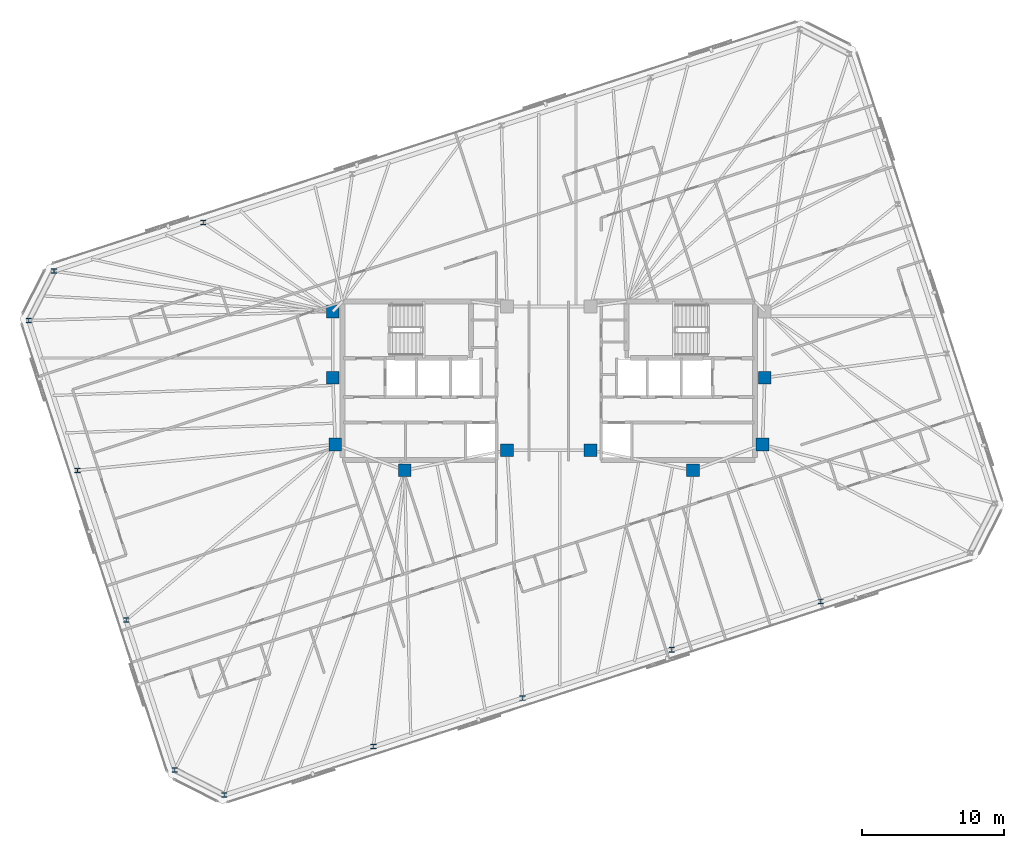
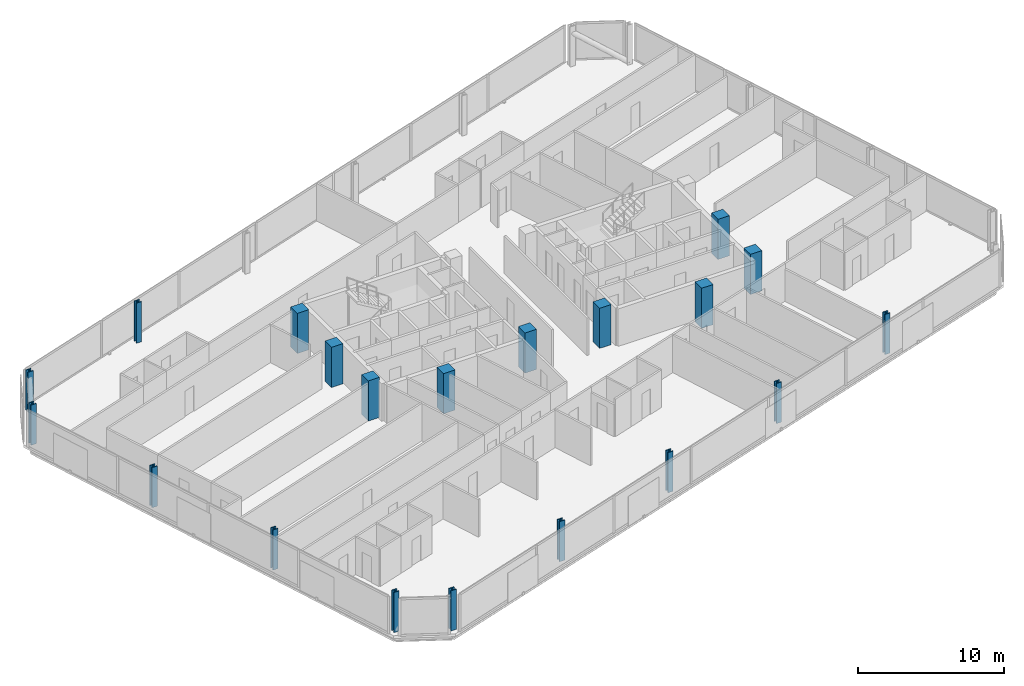
# One storey, part 1 of 19: 20 columns.
"""IFC4 building model written with IfcOpenShell, lengths in metres."""

from ifc_helpers import new_model, si_unit, direction, frame, origin, origin_2d, place, context, subcontext, project, spatial, rectangle, i_section, extrude, material, material_profile, profile_set, type_object, element, save


model = new_model("IFC4")

# Units and contexts
model_context = context("Model", 3, precision=1e-05, world=origin(), true_north=direction((0.0, 1.0)))
body_context = subcontext(model_context, "Body", "Model", "MODEL_VIEW")
ifc_project = project(units=[si_unit("LENGTHUNIT", "METRE"), si_unit("AREAUNIT", "SQUARE_METRE"), si_unit("VOLUMEUNIT", "CUBIC_METRE"), si_unit("PLANEANGLEUNIT", "RADIAN"), si_unit("MASSUNIT", "GRAM", prefix="KILO")], contexts=[model_context])

# Site, building, storey
site_placement = place(None, origin())
site = spatial("IfcSite", under=ifc_project, at=site_placement, CompositionType="ELEMENT")
building_placement = place(site_placement, origin())
building = spatial("IfcBuilding", under=site, at=building_placement, Name="Menara Jurai Vektor", CompositionType="ELEMENT")
storey_placement = place(building_placement, frame((0.0, 0.0, 234.35009765625)))
storey = spatial("IfcBuildingStorey", under=building, at=storey_placement, Name="L62", CompositionType="ELEMENT", Elevation=234.35009765625)

# Columns
ifc_material_1 = material(Name="Concrete C50/60", Category="concrete")
ifc_material_profile_1 = material_profile(ifc_material_1, rectangle(XDim=0.89990234375, YDim=0.89990234375, at=origin_2d()), Name="RC 900x900")
ifc_profile_set_1 = profile_set([ifc_material_profile_1], Name="Concrete C50/60")
column_type_1 = type_object("IfcColumnType", Name="STR-COL-RC900", PredefinedType="COLUMN", material=ifc_profile_set_1)
for number, where, z_axis, x_axis, name in (
    (1, (-15.25, 4.89990234375, 0.0), (0.0, 0.0, 1.0), (1.0, 0.0, 0.0), "Core Spine Column CW-NW L62"),
    (2, (-15.25, 0.219970703125, 0.0), (0.0, 0.0, 1.0), (1.0, 0.0, 0.0), "Core Spine Column CW-WM L62"),
    (3, (-15.080078125, -4.5, 0.0), (0.0, 0.0, 1.0), (1.0, 0.0, 0.0), "Core Spine Column CW-SW L62"),
    (4, (-10.179931640625, -6.320068359375, 0.0), (0.0, 0.0, 1.0), (1.0, 0.0, 0.0), "Core Spine Column CW-SM L62"),
    (5, (-2.949951171875, -4.89990234375, 0.0), (0.0, 0.0, 1.0), (1.0, 0.0, 0.0), "Core Spine Column CW-SE L62"),
    (6, (15.25, 0.219970703125, 0.0), (0.0, 0.0, 1.0), (1.0, 0.0, 0.0), "Core Spine Column CE-EM L62"),
    (7, (15.080078125, -4.5, 0.0), (0.0, 0.0, 1.0), (1.0, 0.0, 0.0), "Core Spine Column CE-SE L62"),
    (8, (10.179931640625, -6.320068359375, 0.0), (0.0, 0.0, 1.0), (1.0, 0.0, 0.0), "Core Spine Column CE-SM L62"),
    (9, (2.949951171875, -4.89990234375, 0.0), (0.0, 0.0, 1.0), (1.0, 0.0, 0.0), "Core Spine Column CE-SW L62"),
):
    element("IfcColumn", number, at=place(storey_placement, frame(where, z_axis=z_axis, x_axis=x_axis)), inside=storey, type_object=column_type_1, Name=name, PredefinedType="COLUMN", context=body_context, shape_type="SweptSolid", body=[
        extrude(rectangle(XDim=0.89990234375, YDim=0.89990234375, at=origin_2d()), origin(), (0.0, 0.0, 1.0), 3.349853515625),
    ])
ifc_material_2 = material(Name="Steel S460", Category="steel")
ifc_material_profile_2 = material_profile(ifc_material_2, i_section(OverallWidth=0.405029296875, OverallDepth=0.35498046875, WebThickness=0.0419921875, FlangeThickness=0.068115234375, FilletRadius=0.014892578125, at=origin_2d()), Name="HD 400x551")
ifc_profile_set_2 = profile_set([ifc_material_profile_2], Name="Steel S460")
column_type_2 = type_object("IfcColumnType", Name="STR-EXO-BLK4", PredefinedType="COLUMN", material=ifc_profile_set_2)
for number, where, z_axis, x_axis, name in (
    (10, (-22.912841796875, -29.2509765625, 0.0), (0.0, 0.0, 1.0), (1.0, 0.0, 0.0), "Exoskeleton Column BLK4-S1 L62"),
    (11, (-12.383544921875, -25.829833984375, 0.0), (0.0, 0.0, 1.0), (1.0, 0.0, 0.0), "Exoskeleton Column BLK4-S2 L62"),
    (12, (-1.854248046875, -22.40869140625, 0.0), (0.0, 0.0, 1.0), (1.0, 0.0, 0.0), "Exoskeleton Column BLK4-S3 L62"),
    (13, (8.675048828125, -18.987548828125, 0.0), (0.0, 0.0, 1.0), (1.0, 0.0, 0.0), "Exoskeleton Column BLK4-S4 L62"),
    (14, (19.204345703125, -15.56640625, 0.0), (0.0, 0.0, 1.0), (1.0, 0.0, 0.0), "Exoskeleton Column BLK4-S5 L62"),
    (15, (-24.404296875, 11.166259765625, 0.0), (0.0, 0.0, 1.0), (1.0, 0.0, 0.0), "Exoskeleton Column BLK4-N5 L62"),
    (16, (-34.93359375, 7.7451171875, 0.0), (0.0, 0.0, 1.0), (1.0, 0.0, 0.0), "Exoskeleton Column BLK4-N6 L62"),
    (17, (-36.71337890625, 4.251953125, 0.0), (0.0, 0.0, 1.0), (1.0, 0.0, 0.0), "Exoskeleton Column BLK4-W1 L62"),
    (18, (-33.277587890625, -6.322265625, 0.0), (0.0, 0.0, 1.0), (1.0, 0.0, 0.0), "Exoskeleton Column BLK4-W2 L62"),
    (19, (-29.841796875, -16.896728515625, 0.0), (0.0, 0.0, 1.0), (1.0, 0.0, 0.0), "Exoskeleton Column BLK4-W3 L62"),
    (20, (-26.406005859375, -27.47119140625, 0.0), (0.0, 0.0, 1.0), (1.0, 0.0, 0.0), "Exoskeleton Column BLK4-W4 L62"),
):
    element("IfcColumn", number, at=place(storey_placement, frame(where, z_axis=z_axis, x_axis=x_axis)), inside=storey, type_object=column_type_2, Name=name, PredefinedType="COLUMN", context=body_context, shape_type="SweptSolid", body=[
        extrude(i_section(OverallWidth=0.405029296875, OverallDepth=0.35498046875, WebThickness=0.0419921875, FlangeThickness=0.068115234375, FilletRadius=0.014892578125, at=origin_2d()), origin(), (0.0, 0.0, 1.0), 3.349853515625),
    ])

save(model, "model.ifc")
